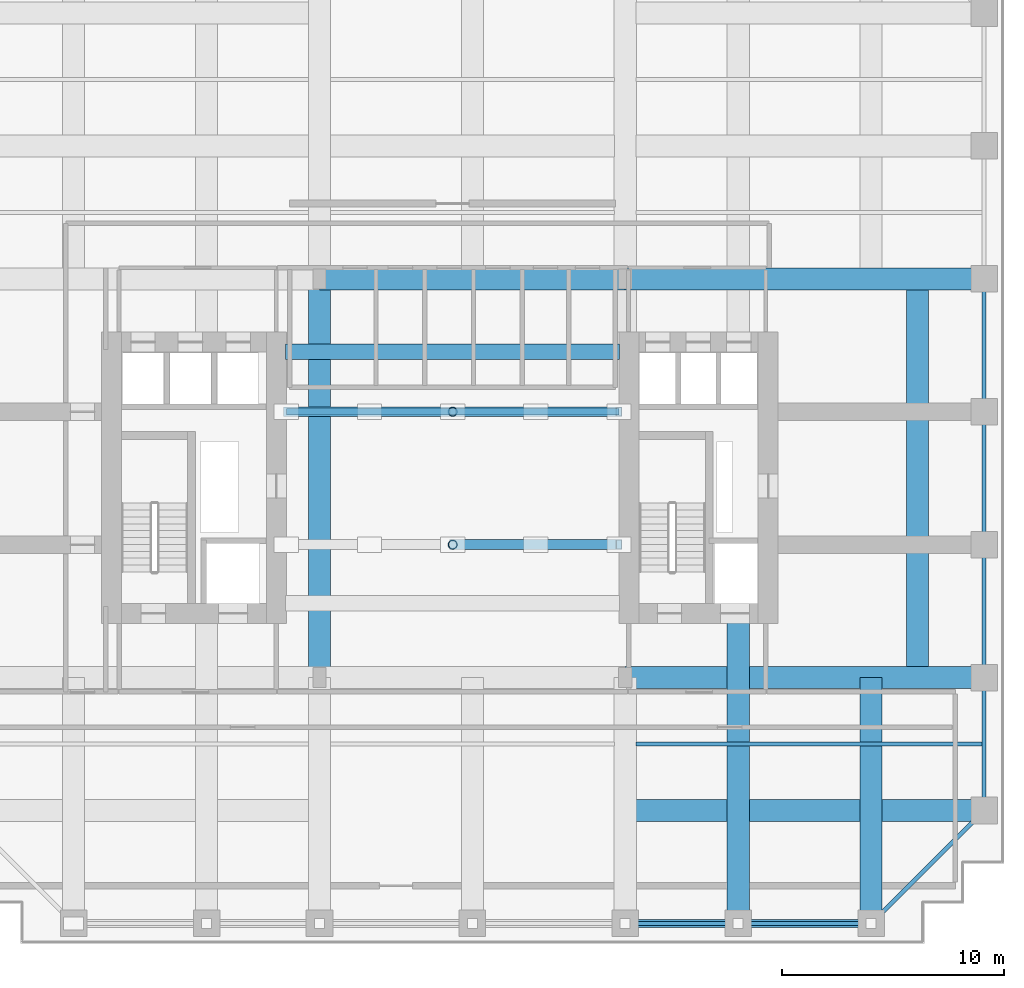
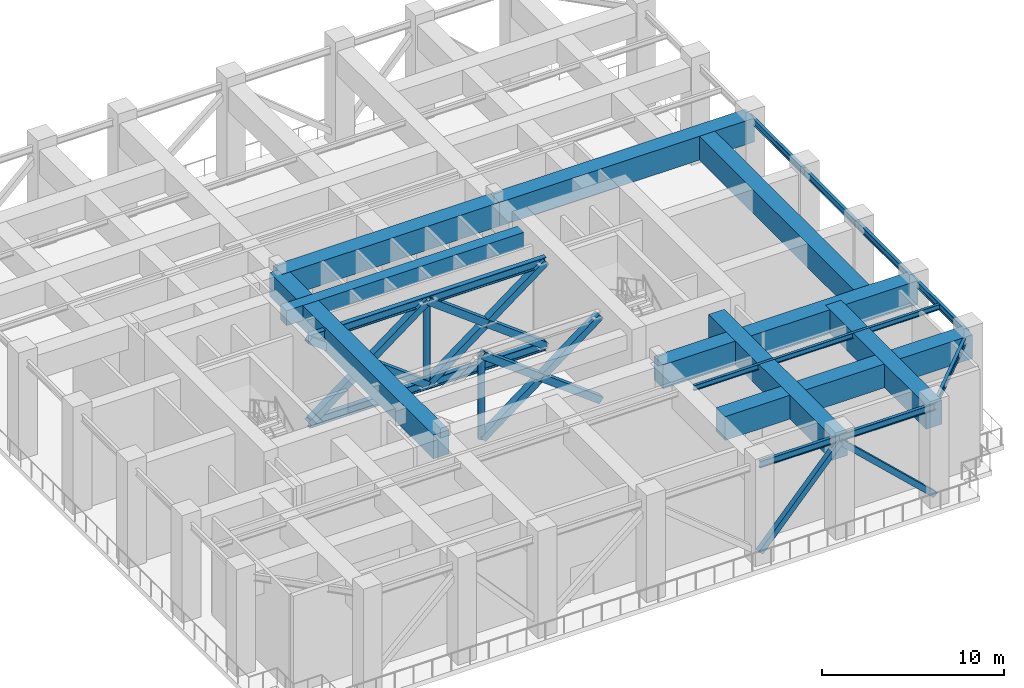
# One storey, part 2 of 10: 17 beams, 15 members.
"""IFC4 building model written with IfcOpenShell, lengths in metres."""

from ifc_helpers import new_model, si_unit, direction, frame, origin, origin_2d, place, context, subcontext, project, spatial, rectangle, hollow_rectangle, hollow_circle, i_section, extrude, source, transform, mapped, material, material_profile, profile_set, type_object, element, save


model = new_model("IFC4")

# Units and contexts
model_context = context("Model", 3, precision=1e-05, world=origin(), true_north=direction((0.0, 1.0)))
body_context = subcontext(model_context, "Body", "Model", "MODEL_VIEW")
ifc_project = project(units=[si_unit("LENGTHUNIT", "METRE"), si_unit("AREAUNIT", "SQUARE_METRE"), si_unit("VOLUMEUNIT", "CUBIC_METRE"), si_unit("PLANEANGLEUNIT", "RADIAN"), si_unit("MASSUNIT", "GRAM", prefix="KILO")], contexts=[model_context])

# Site, building, storey
site_placement = place(None, origin())
site = spatial("IfcSite", under=ifc_project, at=site_placement, CompositionType="ELEMENT")
building_placement = place(site_placement, origin())
building = spatial("IfcBuilding", under=site, at=building_placement, Name="Khoralis Quay Care Tower", CompositionType="ELEMENT")
storey_placement = place(building_placement, frame((0.0, 0.0, 76.5)))
storey = spatial("IfcBuildingStorey", under=building, at=storey_placement, Name="L20", CompositionType="ELEMENT", Elevation=76.5)

# Beams
ifc_material_1 = material(Name="Concrete C80/95", Category="concrete")
ifc_material_profile_1 = material_profile(ifc_material_1, rectangle(XDim=0.699951171875, YDim=1.0, at=origin_2d()), Name="Concrete C80/95")
ifc_profile_set_1 = profile_set([ifc_material_profile_1], Name="Concrete C80/95")
beam_type_1 = type_object("IfcBeamType", Name="CB-RC700X1000", PredefinedType="LINTEL", material=ifc_profile_set_1)
shared_shape_1 = source(origin(), body_context, "Body", "SweptSolid", [
    extrude(rectangle(XDim=0.699951171875, YDim=1.0, at=origin_2d()), origin(), (0.0, 0.0, 1.0), 15.079833984375),
])
beam_1_placement = place(storey_placement, frame((15.570068359375, 26.699951171875, 6.050048828125), z_axis=(1.0, 0.0, 0.0), x_axis=(0.0, 1.0, 0.0)))
element("IfcBeam", 1, at=beam_1_placement, inside=storey, type_object=beam_type_1, Name="L20 North Core Coupling Lintel", PredefinedType="LINTEL", context=body_context, shape_type="MappedRepresentation", body=[
    mapped(shared_shape_1, transform((0.0, 0.0, 0.0), scale=1.0)),
])
ifc_material_2 = material(Name="Steel S355", Category="steel")
ifc_material_profile_2 = material_profile(ifc_material_2, i_section(OverallWidth=0.18994140625, OverallDepth=0.449951171875, WebThickness=0.009521484375, FlangeThickness=0.0146484375, FilletRadius=0.02099609375, at=origin_2d()), Name="Steel S355")
ifc_profile_set_2 = profile_set([ifc_material_profile_2], Name="Steel S355")
beam_type_2 = type_object("IfcBeamType", Name="BM-IPE450", PredefinedType="SPANDREL", material=ifc_profile_set_2)
shared_shape_2 = source(origin(), body_context, "Body", "SweptSolid", [
    extrude(i_section(OverallWidth=0.18994140625, OverallDepth=0.449951171875, WebThickness=0.009521484375, FlangeThickness=0.0146484375, FilletRadius=0.02099609375, at=origin_2d()), origin(), (0.0, 0.0, 1.0), 6.0),
])
for number, where, z_axis, x_axis, name in (
    (2, (36.0, 0.89990234375, 6.324951171875), (1.0, 0.0, 0.0), (0.0, 1.0, 0.0), "BM-TSP-L20-06"),
    (3, (47.10009765625, 6.0, 6.324951171875), (0.0, 1.0, 0.0), (-1.0, 0.0, 0.0), "BM-TSP-L20-19"),
    (4, (47.10009765625, 12.0, 6.324951171875), (0.0, 1.0, 0.0), (-1.0, 0.0, 0.0), "BM-TSP-L20-20"),
    (5, (47.10009765625, 18.0, 6.324951171875), (0.0, 1.0, 0.0), (-1.0, 0.0, 0.0), "BM-TSP-L20-21"),
    (6, (47.10009765625, 24.0, 6.324951171875), (0.0, 1.0, 0.0), (-1.0, 0.0, 0.0), "BM-TSP-L20-22"),
):
    element("IfcBeam", number, at=place(storey_placement, frame(where, z_axis=z_axis, x_axis=x_axis)), inside=storey, type_object=beam_type_2, Name=name, PredefinedType="SPANDREL", context=body_context, shape_type="MappedRepresentation", body=[
        mapped(shared_shape_2, transform((0.0, 0.0, 0.0), scale=1.0)),
    ])
shared_shape_3 = source(origin(), body_context, "Body", "SweptSolid", [
    extrude(i_section(OverallWidth=0.18994140625, OverallDepth=0.449951171875, WebThickness=0.009521484375, FlangeThickness=0.0146484375, FilletRadius=0.02099609375, at=origin_2d()), origin(), (0.0, 0.0, 1.0), 5.10009765625),
])
beam_2_placement = place(storey_placement, frame((30.89990234375, 0.89990234375, 6.324951171875), z_axis=(1.0, 0.0, 0.0), x_axis=(0.0, 1.0, 0.0)))
element("IfcBeam", 7, at=beam_2_placement, inside=storey, type_object=beam_type_2, Name="BM-TSP-L20-05", PredefinedType="SPANDREL", context=body_context, shape_type="MappedRepresentation", body=[
    mapped(shared_shape_3, transform((0.0, 0.0, 0.0), scale=1.0)),
])
shared_shape_4 = source(origin(), body_context, "Body", "SweptSolid", [
    extrude(i_section(OverallWidth=0.18994140625, OverallDepth=0.449951171875, WebThickness=0.009521484375, FlangeThickness=0.0146484375, FilletRadius=0.02099609375, at=origin_2d()), origin(), (0.0, 0.0, 1.0), 7.212646484375),
])
beam_3_placement = place(storey_placement, frame((42.0, 0.89990234375, 6.324951171875), z_axis=(0.707106781187, 0.707106781187, 0.0), x_axis=(-0.707106781187, 0.707106781187, 0.0)))
element("IfcBeam", 8, at=beam_3_placement, inside=storey, type_object=beam_type_2, Name="BM-TCR-L20-26", PredefinedType="SPANDREL", context=body_context, shape_type="MappedRepresentation", body=[
    mapped(shared_shape_4, transform((0.0, 0.0, 0.0), scale=1.0)),
])
ifc_material_profile_3 = material_profile(ifc_material_1, rectangle(XDim=1.0, YDim=1.60009765625, at=origin_2d()), Name="Concrete C80/95")
ifc_profile_set_3 = profile_set([ifc_material_profile_3], Name="Concrete C80/95")
beam_type_3 = type_object("IfcBeamType", Name="TG-RC1000X1600", PredefinedType="BEAM", material=ifc_profile_set_3)
shared_shape_5 = source(origin(), body_context, "Body", "SweptSolid", [
    extrude(rectangle(XDim=1.0, YDim=1.60009765625, at=origin_2d()), origin(), (0.0, 0.0, 1.0), 15.712158203125),
])
beam_4_placement = place(storey_placement, frame((31.387939453125, 6.0, 5.75), z_axis=(1.0, 0.0, 0.0), x_axis=(0.0, 1.0, 0.0)))
element("IfcBeam", 9, at=beam_4_placement, inside=storey, type_object=beam_type_3, Name="L20 Transfer girder BM-TGXE-L20-60", PredefinedType="BEAM", context=body_context, shape_type="MappedRepresentation", body=[
    mapped(shared_shape_5, transform((0.0, 0.0, 0.0), scale=1.0)),
])
shared_shape_6 = source(origin(), body_context, "Body", "SweptSolid", [
    extrude(rectangle(XDim=1.0, YDim=1.60009765625, at=origin_2d()), origin(), (0.0, 0.0, 1.0), 16.2001953125),
])
for number, where, z_axis, x_axis, name in (
    (10, (30.89990234375, 12.0, 5.75), (1.0, 0.0, 0.0), (0.0, 1.0, 0.0), "L20 Transfer girder BM-TGXE-L20-120"),
    (11, (30.89990234375, 30.0, 5.75), (1.0, 0.0, 0.0), (0.0, 1.0, 0.0), "L20 Transfer girder BM-TGXE-L20-300"),
):
    element("IfcBeam", number, at=place(storey_placement, frame(where, z_axis=z_axis, x_axis=x_axis)), inside=storey, type_object=beam_type_3, Name=name, PredefinedType="BEAM", context=body_context, shape_type="MappedRepresentation", body=[
        mapped(shared_shape_6, transform((0.0, 0.0, 0.0), scale=1.0)),
    ])
shared_shape_7 = source(origin(), body_context, "Body", "SweptSolid", [
    extrude(rectangle(XDim=1.0, YDim=1.60009765625, at=origin_2d()), origin(), (0.0, 0.0, 1.0), 13.7998046875),
])
beam_5_placement = place(storey_placement, frame((17.10009765625, 30.0, 5.75), z_axis=(1.0, 0.0, 0.0), x_axis=(0.0, 1.0, 0.0)))
element("IfcBeam", 12, at=beam_5_placement, inside=storey, type_object=beam_type_3, Name="L20 Transfer girder BM-TGCC-L20-300", PredefinedType="BEAM", context=body_context, shape_type="MappedRepresentation", body=[
    mapped(shared_shape_7, transform((0.0, 0.0, 0.0), scale=1.0)),
])
shared_shape_8 = source(origin(), body_context, "Body", "SweptSolid", [
    extrude(rectangle(XDim=1.0, YDim=1.60009765625, at=origin_2d()), origin(), (0.0, 0.0, 1.0), 11.10009765625),
])
beam_6_placement = place(storey_placement, frame((42.0, 0.89990234375, 5.75), z_axis=(0.0, 1.0, 0.0), x_axis=(-1.0, 0.0, 0.0)))
element("IfcBeam", 13, at=beam_6_placement, inside=storey, type_object=beam_type_3, Name="L20 Transfer girder BM-TGYS-L20-420", PredefinedType="BEAM", context=body_context, shape_type="MappedRepresentation", body=[
    mapped(shared_shape_8, transform((0.0, 0.0, 0.0), scale=1.0)),
])
shared_shape_9 = source(origin(), body_context, "Body", "SweptSolid", [
    extrude(rectangle(XDim=1.0, YDim=1.60009765625, at=origin_2d()), origin(), (0.0, 0.0, 1.0), 13.552001953125),
])
beam_7_placement = place(storey_placement, frame((36.0, 0.89990234375, 5.75), z_axis=(0.0, 1.0, 0.0), x_axis=(-1.0, 0.0, 0.0)))
element("IfcBeam", 14, at=beam_7_placement, inside=storey, type_object=beam_type_3, Name="L20 Transfer girder BM-TGYS-L20-360", PredefinedType="BEAM", context=body_context, shape_type="MappedRepresentation", body=[
    mapped(shared_shape_9, transform((0.0, 0.0, 0.0), scale=1.0)),
])
shared_shape_10 = source(origin(), body_context, "Body", "SweptSolid", [
    extrude(rectangle(XDim=1.0, YDim=1.60009765625, at=origin_2d()), origin(), (0.0, 0.0, 1.0), 18.0),
])
for number, where, z_axis, x_axis, name in (
    (15, (17.10009765625, 12.0, 5.75), (0.0, 1.0, 0.0), (-1.0, 0.0, 0.0), "L20 Transfer girder BM-TGSW-L20"),
    (16, (44.10009765625, 12.0, 5.75), (0.0, 1.0, 0.0), (-1.0, 0.0, 0.0), "L20 Setback Perimeter Transfer Girder"),
):
    element("IfcBeam", number, at=place(storey_placement, frame(where, z_axis=z_axis, x_axis=x_axis)), inside=storey, type_object=beam_type_3, Name=name, PredefinedType="BEAM", context=body_context, shape_type="MappedRepresentation", body=[
        mapped(shared_shape_10, transform((0.0, 0.0, 0.0), scale=1.0)),
    ])
ifc_material_profile_4 = material_profile(ifc_material_2, i_section(OverallWidth=0.1708984375, OverallDepth=0.35498046875, WebThickness=0.007080078125, FlangeThickness=0.01171875, FilletRadius=0.012939453125, at=origin_2d()), Name="Steel S355")
ifc_profile_set_4 = profile_set([ifc_material_profile_4], Name="Steel S355")
beam_type_4 = type_object("IfcBeamType", Name="BM-W360X51", PredefinedType="JOIST", material=ifc_profile_set_4)
shared_shape_11 = source(origin(), body_context, "Body", "SweptSolid", [
    extrude(i_section(OverallWidth=0.1708984375, OverallDepth=0.35498046875, WebThickness=0.007080078125, FlangeThickness=0.01171875, FilletRadius=0.012939453125, at=origin_2d()), origin(), (0.0, 0.0, 1.0), 15.631103515625),
])
beam_8_placement = place(storey_placement, frame((31.387939453125, 9.0, 6.37255859375), z_axis=(1.0, 0.0, 0.0), x_axis=(0.0, 1.0, 0.0)))
element("IfcBeam", 17, at=beam_8_placement, inside=storey, type_object=beam_type_4, Name="BM-TJS-L20-30", PredefinedType="JOIST", context=body_context, shape_type="MappedRepresentation", body=[
    mapped(shared_shape_11, transform((0.0, 0.0, 0.0), scale=1.0)),
])

# Members
ifc_material_profile_5 = material_profile(ifc_material_2, i_section(OverallWidth=0.300048828125, OverallDepth=0.60009765625, WebThickness=0.015380859375, FlangeThickness=0.030029296875, FilletRadius=0.027099609375, at=origin_2d()), Name="Steel S355")
ifc_profile_set_5 = profile_set([ifc_material_profile_5], Name="Steel S355")
member_type_1 = type_object("IfcMemberType", Name="CH-HEB600", PredefinedType="CHORD", material=ifc_profile_set_5)
shared_shape_12 = source(origin(), body_context, "Body", "SweptSolid", [
    extrude(i_section(OverallWidth=0.300048828125, OverallDepth=0.60009765625, WebThickness=0.015380859375, FlangeThickness=0.030029296875, FilletRadius=0.027099609375, at=origin_2d()), origin(), (0.0, 0.0, 1.0), 15.02001953125),
])
for number, where, z_axis, x_axis, name in (
    (18, (15.60009765625, 24.0, 0.449951171875), (1.0, 0.0, 0.0), (0.0, 1.0, 0.0), "MBR-L20-CHB-24"),
    (19, (15.60009765625, 24.0, 6.10009765625), (1.0, 0.0, 0.0), (0.0, 1.0, 0.0), "MBR-L20-CHT-24"),
):
    element("IfcMember", number, at=place(storey_placement, frame(where, z_axis=z_axis, x_axis=x_axis)), inside=storey, type_object=member_type_1, Name=name, PredefinedType="CHORD", context=body_context, shape_type="MappedRepresentation", body=[
        mapped(shared_shape_12, transform((0.0, 0.0, 0.0), scale=1.0)),
    ])
ifc_material_profile_6 = material_profile(ifc_material_2, hollow_circle(Radius=0.203125, WallThickness=0.02001953125, at=origin_2d()), Name="Steel S355")
ifc_profile_set_6 = profile_set([ifc_material_profile_6], Name="Steel S355")
member_type_2 = type_object("IfcMemberType", Name="ST-CHS406X20", PredefinedType="STRUT", material=ifc_profile_set_6)
shared_shape_13 = source(origin(), body_context, "Body", "SweptSolid", [
    extrude(hollow_circle(Radius=0.203125, WallThickness=0.02001953125, at=origin_2d()), origin(), (0.0, 0.0, 1.0), 5.650146484375),
])
for number, where, z_axis, x_axis, name in (
    (20, (23.110107421875, 18.0, 0.449951171875), (0.0, 0.0, 1.0), (1.0, 0.0, 0.0), "MBR-L20-VST-18"),
    (21, (23.110107421875, 24.0, 0.449951171875), (0.0, 0.0, 1.0), (1.0, 0.0, 0.0), "MBR-L20-VST-24"),
):
    element("IfcMember", number, at=place(storey_placement, frame(where, z_axis=z_axis, x_axis=x_axis)), inside=storey, type_object=member_type_2, Name=name, PredefinedType="STRUT", context=body_context, shape_type="MappedRepresentation", body=[
        mapped(shared_shape_13, transform((0.0, 0.0, 0.0), scale=1.0)),
    ])
ifc_material_3 = material(Name="Steel S460", Category="steel")
ifc_material_profile_7 = material_profile(ifc_material_3, hollow_rectangle(XDim=0.449951171875, YDim=0.449951171875, WallThickness=0.02490234375, at=origin_2d()), Name="Steel S460")
ifc_profile_set_7 = profile_set([ifc_material_profile_7], Name="Steel S460")
member_type_3 = type_object("IfcMemberType", Name="BR-RHS450X450X25", PredefinedType="BRACE", material=ifc_profile_set_7)
shared_shape_14 = source(origin(), body_context, "Body", "SweptSolid", [
    extrude(hollow_rectangle(XDim=0.449951171875, YDim=0.449951171875, WallThickness=0.02490234375, at=origin_2d()), origin(), (0.0, 0.0, 1.0), 9.398193359375),
])
for number, where, z_axis, x_axis, name in (
    (22, (23.110107421875, 18.0, 0.449951171875), (0.799098193623, 0.0, 0.60120052973), (0.0, 1.0, 0.0), "L20 Outrigger Truss Continuous Diagonal 3"),
    (23, (15.60009765625, 24.0, 0.449951171875), (0.799098193623, 0.0, 0.60120052973), (0.0, 1.0, 0.0), "L20 Outrigger Truss Continuous Diagonal 5"),
    (24, (23.110107421875, 24.0, 0.449951171875), (0.799098193623, 0.0, 0.60120052973), (0.0, 1.0, 0.0), "L20 Outrigger Truss Continuous Diagonal 7"),
):
    element("IfcMember", number, at=place(storey_placement, frame(where, z_axis=z_axis, x_axis=x_axis)), inside=storey, type_object=member_type_3, Name=name, PredefinedType="BRACE", context=body_context, shape_type="MappedRepresentation", body=[
        mapped(shared_shape_14, transform((0.0, 0.0, 0.0), scale=1.0)),
    ])
shared_shape_15 = source(origin(), body_context, "Body", "SweptSolid", [
    extrude(hollow_rectangle(XDim=0.449951171875, YDim=0.449951171875, WallThickness=0.02490234375, at=origin_2d()), origin(), (0.0, 0.0, 1.0), 4.68896484375),
])
for number, where, z_axis, x_axis, name in (
    (25, (23.110107421875, 18.0, 6.10009765625), (0.799080591209, 0.0, -0.601223925633), (0.0, 1.0, 0.0), "L20 Outrigger Split Diagonal 4A"),
    (26, (15.60009765625, 24.0, 6.10009765625), (0.799080591209, 0.0, -0.601223925633), (0.0, 1.0, 0.0), "L20 Outrigger Split Diagonal 6A"),
    (27, (23.110107421875, 24.0, 6.10009765625), (0.799080591209, 0.0, -0.601223925633), (0.0, 1.0, 0.0), "L20 Outrigger Split Diagonal 8A"),
):
    element("IfcMember", number, at=place(storey_placement, frame(where, z_axis=z_axis, x_axis=x_axis)), inside=storey, type_object=member_type_3, Name=name, PredefinedType="BRACE", context=body_context, shape_type="MappedRepresentation", body=[
        mapped(shared_shape_15, transform((0.0, 0.0, 0.0), scale=1.0)),
    ])
shared_shape_16 = source(origin(), body_context, "Body", "SweptSolid", [
    extrude(hollow_rectangle(XDim=0.449951171875, YDim=0.449951171875, WallThickness=0.02490234375, at=origin_2d()), origin(), (0.0, 0.0, 1.0), 4.689208984375),
])
for number, where, z_axis, x_axis, name in (
    (28, (26.873046875, 18.0, 3.26904296875), (0.7990994109, 0.0, -0.601198911758), (0.0, 1.0, 0.0), "L20 Outrigger Split Diagonal 4B"),
    (29, (19.363037109375, 24.0, 3.26904296875), (0.7990994109, 0.0, -0.601198911758), (0.0, 1.0, 0.0), "L20 Outrigger Split Diagonal 6B"),
    (30, (26.873046875, 24.0, 3.26904296875), (0.7990994109, 0.0, -0.601198911758), (0.0, 1.0, 0.0), "L20 Outrigger Split Diagonal 8B"),
):
    element("IfcMember", number, at=place(storey_placement, frame(where, z_axis=z_axis, x_axis=x_axis)), inside=storey, type_object=member_type_3, Name=name, PredefinedType="BRACE", context=body_context, shape_type="MappedRepresentation", body=[
        mapped(shared_shape_16, transform((0.0, 0.0, 0.0), scale=1.0)),
    ])
ifc_material_profile_8 = material_profile(ifc_material_2, hollow_rectangle(XDim=0.35009765625, YDim=0.35009765625, WallThickness=0.01611328125, at=origin_2d()), Name="Steel S355")
ifc_profile_set_8 = profile_set([ifc_material_profile_8], Name="Steel S355")
member_type_4 = type_object("IfcMemberType", Name="BR-RHS350X350X16", PredefinedType="BRACE", material=ifc_profile_set_8)
shared_shape_17 = source(origin(), body_context, "Body", "SweptSolid", [
    extrude(hollow_rectangle(XDim=0.35009765625, YDim=0.35009765625, WallThickness=0.01611328125, at=origin_2d()), origin(), (0.0, 0.0, 1.0), 8.24169921875),
])
member_1_placement = place(storey_placement, frame((36.0, 0.89990234375, 6.10009765625), z_axis=(0.728012987869, 0.0, -0.685563337332), x_axis=(0.0, 1.0, 0.0)))
element("IfcMember", 31, at=member_1_placement, inside=storey, type_object=member_type_4, Name="L20 Belt truss diagonal 6", PredefinedType="BRACE", context=body_context, shape_type="MappedRepresentation", body=[
    mapped(shared_shape_17, transform((0.0, 0.0, 0.0), scale=1.0)),
])
shared_shape_18 = source(origin(), body_context, "Body", "SweptSolid", [
    extrude(hollow_rectangle(XDim=0.35009765625, YDim=0.35009765625, WallThickness=0.01611328125, at=origin_2d()), origin(), (0.0, 0.0, 1.0), 7.611572265625),
])
member_2_placement = place(storey_placement, frame((30.89990234375, 0.89990234375, 0.449951171875), z_axis=(0.670050319951, 0.0, 0.742315679973), x_axis=(0.0, 1.0, 0.0)))
element("IfcMember", 32, at=member_2_placement, inside=storey, type_object=member_type_4, Name="L20 Belt truss diagonal 5", PredefinedType="BRACE", context=body_context, shape_type="MappedRepresentation", body=[
    mapped(shared_shape_18, transform((0.0, 0.0, 0.0), scale=1.0)),
])

save(model, "model.ifc")
